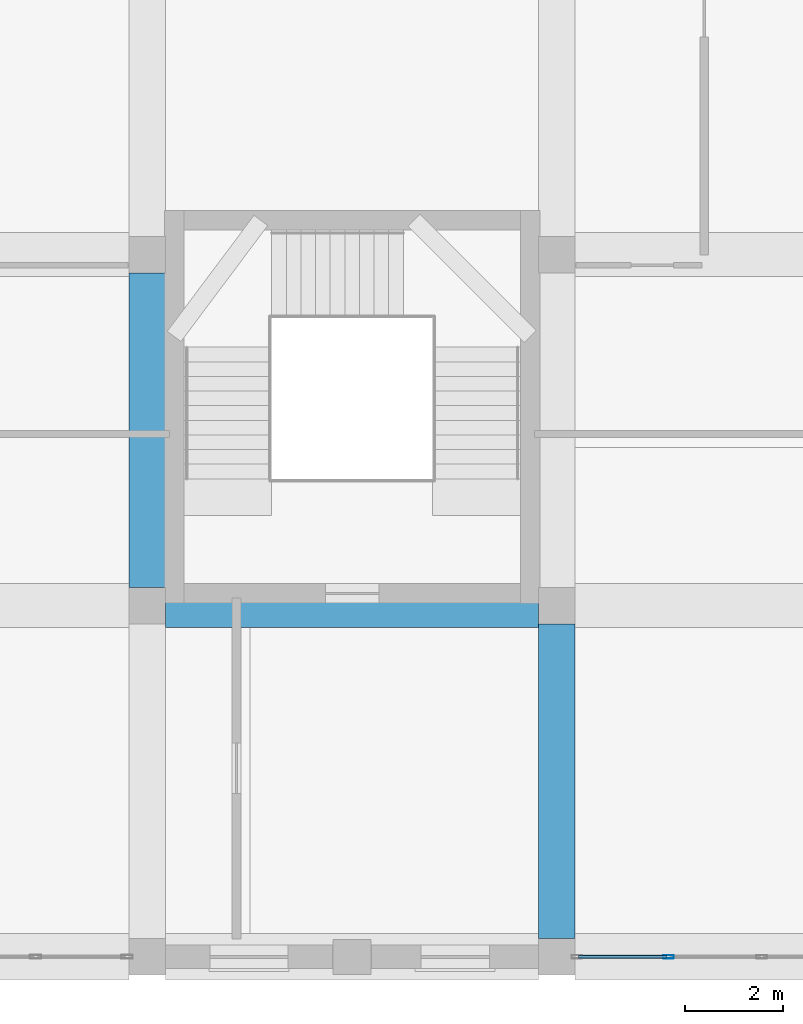
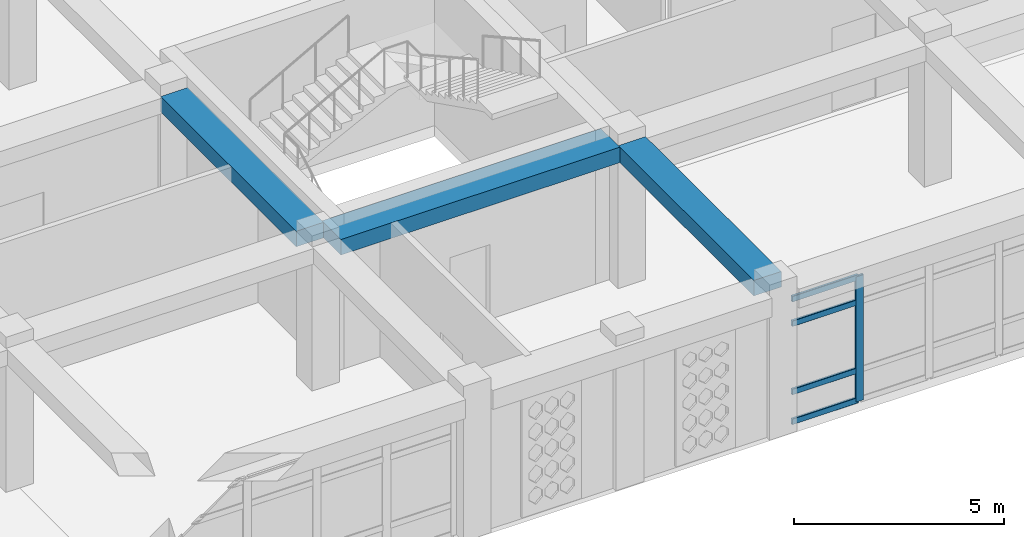
# One storey, part 28 of 121: 5 members, 3 beams, 1 element without a shape of its own.
"""IFC4 building model written with IfcOpenShell, lengths in metres."""

from ifc_helpers import new_model, si_unit, derived_unit, direction, frame, origin, origin_2d, place, context, subcontext, project, spatial, rectangle, hollow_rectangle, extrude, material, material_profile, profile_set, type_object, element, aggregate, save


model = new_model("IFC4")

# Units and contexts
model_context = context("Model", 3, precision=1e-05, world=origin(), true_north=direction((0.0, 1.0)))
body_context = subcontext(model_context, "Body", "Model", "MODEL_VIEW")
ifc_project = project(units=[si_unit("LENGTHUNIT", "METRE"), si_unit("AREAUNIT", "SQUARE_METRE"), si_unit("VOLUMEUNIT", "CUBIC_METRE"), si_unit("PLANEANGLEUNIT", "RADIAN"), si_unit("MASSUNIT", "GRAM", prefix="KILO"), derived_unit("THERMALTRANSMITTANCEUNIT", [(si_unit("POWERUNIT", "WATT"), 1), (si_unit("LENGTHUNIT", "METRE"), -2), (si_unit("THERMODYNAMICTEMPERATUREUNIT", "KELVIN"), -1)])], contexts=[model_context])

# Site, building, storey
site_placement = place(None, origin())
site = spatial("IfcSite", under=ifc_project, at=site_placement, CompositionType="ELEMENT")
building_placement = place(site_placement, origin())
building = spatial("IfcBuilding", under=site, at=building_placement, Name="Veybourne Emporium", CompositionType="ELEMENT")
storey_placement = place(building_placement, frame((0.0, 0.0, 5.39990234375)))
storey = spatial("IfcBuildingStorey", under=building, at=storey_placement, Name="L01", CompositionType="ELEMENT", Elevation=5.39990234375)

# Curtain wall, members
ifc_material_1 = material(Name="Patinated Architectural Bronze", Category="bronze")
curtain_wall_type = type_object("IfcCurtainWallType", Name="CWSystem_CWS-24", PredefinedType="NOTDEFINED", material=ifc_material_1)
curtain_wall_placement = place(storey_placement, origin())
curtain_wall = element("IfcCurtainWall", 1, at=curtain_wall_placement, inside=storey, type_object=curtain_wall_type, Name="L01 bronze glazed curtain wall CWS-24 (063)", PredefinedType="NOTDEFINED")
ifc_material_profile_1 = material_profile(ifc_material_1, hollow_rectangle(XDim=0.070068359375, YDim=0.219970703125, WallThickness=0.0048828125, InnerFilletRadius=0.007568359375, OuterFilletRadius=0.012451171875, at=origin_2d()), Name="CWM 70x220x5")
ifc_profile_set_1 = profile_set([ifc_material_profile_1], Name="Patinated Architectural Bronze")
member_type_1 = type_object("IfcMemberType", Name="CWMullion_CW-M4", PredefinedType="MULLION", material=ifc_profile_set_1)
member_1_placement = place(storey_placement, frame((111.487548828125, 0.0, 0.0), z_axis=(0.0, 0.0, 1.0), x_axis=(0.0, -1.0, 0.0)))
member_1 = element("IfcMember", 2, at=member_1_placement, type_object=member_type_1, Name="CWS-24 mullion 4", PredefinedType="MULLION", context=body_context, shape_type="SweptSolid", body=[
    extrude(hollow_rectangle(XDim=0.070068359375, YDim=0.219970703125, WallThickness=0.0048828125, InnerFilletRadius=0.007568359375, OuterFilletRadius=0.012451171875, at=origin_2d()), origin(), (0.0, 0.0, 1.0), 3.630126953125),
])
ifc_material_profile_2 = material_profile(ifc_material_1, hollow_rectangle(XDim=0.070068359375, YDim=0.169921875, WallThickness=0.0048828125, InnerFilletRadius=0.007568359375, OuterFilletRadius=0.012451171875, at=origin_2d()), Name="CWT 70x170x5")
ifc_profile_set_2 = profile_set([ifc_material_profile_2], Name="Patinated Architectural Bronze")
member_type_2 = type_object("IfcMemberType", Name="CWTransom_CW-T4", PredefinedType="NOTDEFINED", material=ifc_profile_set_2)
member_2_placement = place(storey_placement, frame((111.452392578125, 0.0, 0.03515625), z_axis=(-1.0, 0.0, 0.0), x_axis=(0.0, -1.0, 0.0)))
member_2 = element("IfcMember", 3, at=member_2_placement, type_object=member_type_2, Name="CWS-24 transom 4.1", ObjectType="TRANSOM", PredefinedType="USERDEFINED", context=body_context, shape_type="SweptSolid", body=[
    extrude(hollow_rectangle(XDim=0.070068359375, YDim=0.169921875, WallThickness=0.0048828125, InnerFilletRadius=0.007568359375, OuterFilletRadius=0.012451171875, at=origin_2d()), origin(), (0.0, 0.0, 1.0), 1.807373046875),
])
member_3_placement = place(storey_placement, frame((111.452392578125, 0.0, 0.900146484375), z_axis=(-1.0, 0.0, 0.0), x_axis=(0.0, -1.0, 0.0)))
member_3 = element("IfcMember", 4, at=member_3_placement, type_object=member_type_2, Name="CWS-24 transom 4.2", ObjectType="TRANSOM", PredefinedType="USERDEFINED", context=body_context, shape_type="SweptSolid", body=[
    extrude(hollow_rectangle(XDim=0.070068359375, YDim=0.169921875, WallThickness=0.0048828125, InnerFilletRadius=0.007568359375, OuterFilletRadius=0.012451171875, at=origin_2d()), origin(), (0.0, 0.0, 1.0), 1.807373046875),
])
member_4_placement = place(storey_placement, frame((111.452392578125, 0.0, 2.880126953125), z_axis=(-1.0, 0.0, 0.0), x_axis=(0.0, -1.0, 0.0)))
member_4 = element("IfcMember", 5, at=member_4_placement, type_object=member_type_2, Name="CWS-24 transom 4.3", ObjectType="TRANSOM", PredefinedType="USERDEFINED", context=body_context, shape_type="SweptSolid", body=[
    extrude(hollow_rectangle(XDim=0.070068359375, YDim=0.169921875, WallThickness=0.0048828125, InnerFilletRadius=0.007568359375, OuterFilletRadius=0.012451171875, at=origin_2d()), origin(), (0.0, 0.0, 1.0), 1.807373046875),
])
member_5_placement = place(storey_placement, frame((111.452392578125, 0.0, 3.59521484375), z_axis=(-1.0, 0.0, 0.0), x_axis=(0.0, -1.0, 0.0)))
member_5 = element("IfcMember", 6, at=member_5_placement, type_object=member_type_2, Name="CWS-24 transom 4.4", ObjectType="TRANSOM", PredefinedType="USERDEFINED", context=body_context, shape_type="SweptSolid", body=[
    extrude(hollow_rectangle(XDim=0.070068359375, YDim=0.169921875, WallThickness=0.0048828125, InnerFilletRadius=0.007568359375, OuterFilletRadius=0.012451171875, at=origin_2d()), origin(), (0.0, 0.0, 1.0), 1.807373046875),
])
aggregate(curtain_wall, [member_1, member_2, member_3, member_4, member_5])

# Beams
ifc_material_2 = material(Name="Concrete C32/40", Category="concrete")
ifc_material_profile_3 = material_profile(ifc_material_2, rectangle(XDim=0.89990234375, YDim=0.449951171875, at=origin_2d()), Name="RC 900x450")
ifc_profile_set_3 = profile_set([ifc_material_profile_3], Name="Concrete C32/40")
beam_type_1 = type_object("IfcBeamType", Name="RCBeam_BB-03", PredefinedType="BEAM", material=ifc_profile_set_3)
beam_placement = place(storey_placement, frame((101.175048828125, 7.199951171875, 3.955078125), z_axis=(1.0, 0.0, 0.0), x_axis=(0.0, 1.0, 0.0)))
element("IfcBeam", 7, at=beam_placement, inside=storey, type_object=beam_type_1, Name="L01 X-grid beam BB-03 (12,1)", PredefinedType="BEAM", context=body_context, shape_type="SweptSolid", body=[
    extrude(rectangle(XDim=0.89990234375, YDim=0.449951171875, at=origin_2d()), origin(), (0.0, 0.0, 1.0), 7.64990234375),
])
ifc_material_profile_4 = material_profile(ifc_material_2, rectangle(XDim=0.75, YDim=0.449951171875, at=origin_2d()), Name="RC 750x450")
ifc_profile_set_4 = profile_set([ifc_material_profile_4], Name="Concrete C32/40")
beam_type_2 = type_object("IfcBeamType", Name="RCBeam_BB-04", PredefinedType="BEAM", material=ifc_profile_set_4)
for number, where, z_axis, x_axis, name in (
    (8, (100.800048828125, 7.574951171875, 3.955078125), (0.0, 1.0, 0.0), (-1.0, 0.0, 0.0), "L01 Y-grid beam BB-04 (12,1)"),
    (9, (109.199951171875, 0.375, 3.955078125), (0.0, 1.0, 0.0), (-1.0, 0.0, 0.0), "L01 Y-grid beam BB-04 (13,0)"),
):
    element("IfcBeam", number, at=place(storey_placement, frame(where, z_axis=z_axis, x_axis=x_axis)), inside=storey, type_object=beam_type_2, Name=name, PredefinedType="BEAM", context=body_context, shape_type="SweptSolid", body=[
        extrude(rectangle(XDim=0.75, YDim=0.449951171875, at=origin_2d()), origin(), (0.0, 0.0, 1.0), 6.449951171875),
    ])

save(model, "model.ifc")
